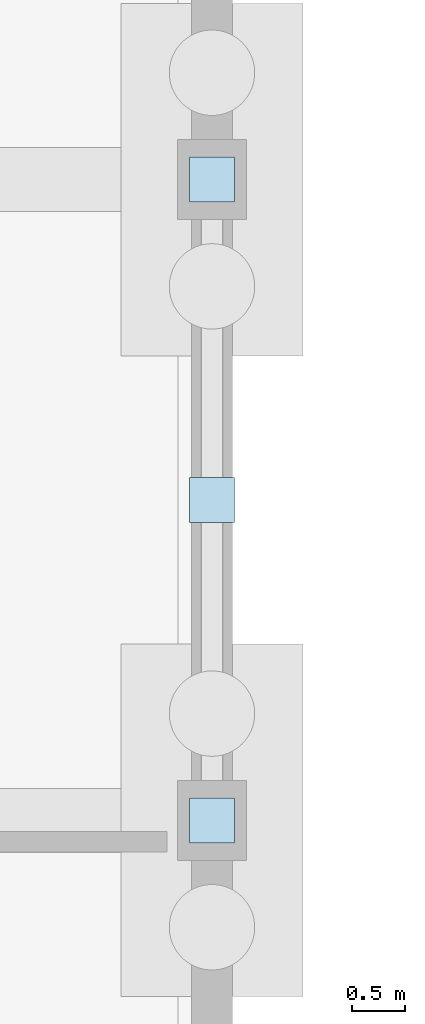
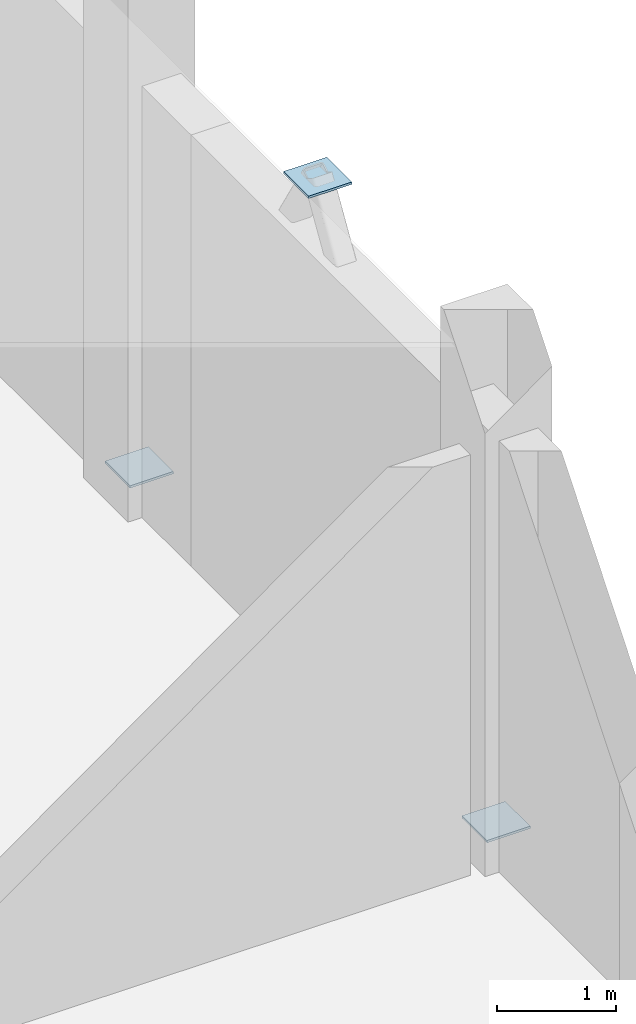
# One storey, part 42 of 69: 3 plates.
"""IFC4 building model written with IfcOpenShell, lengths in metres."""

from ifc_helpers import new_model, si_unit, direction, frame, origin, origin_2d, place, context, subcontext, project, spatial, rectangle, extrude, material, layer, layer_set, type_object, element, save


model = new_model("IFC4")

# Units and contexts
model_context = context("Model", 3, precision=1e-05, world=origin(), true_north=direction((0.0, 1.0)))
body_context = subcontext(model_context, "Body", "Model", "MODEL_VIEW")
ifc_project = project(units=[si_unit("LENGTHUNIT", "METRE"), si_unit("AREAUNIT", "SQUARE_METRE"), si_unit("VOLUMEUNIT", "CUBIC_METRE"), si_unit("PLANEANGLEUNIT", "RADIAN"), si_unit("MASSUNIT", "GRAM", prefix="KILO")], contexts=[model_context])

# Site, building, storey
site_placement = place(None, origin())
site = spatial("IfcSite", under=ifc_project, at=site_placement, CompositionType="ELEMENT")
building_placement = place(site_placement, origin())
building = spatial("IfcBuilding", under=site, at=building_placement, Name="Solvane Community Centre", CompositionType="ELEMENT")
storey_placement = place(building_placement, origin())
storey = spatial("IfcBuildingStorey", under=building, at=storey_placement, Name="L00", CompositionType="ELEMENT", Elevation=0.0)

# Plates
ifc_material = material(Name="Steel ASTM A572 Grade 50", Category="steel")
ifc_layer = layer(ifc_material, 0.02392578125)
ifc_layer_set = layer_set([ifc_layer], Name="Steel ASTM A572 Grade 50")
plate_type = type_object("IfcPlateType", Name="Bracing Node Gusset Plate 420x420x24", PredefinedType="USERDEFINED", material=ifc_layer_set)
for number, where, z_axis, x_axis, name in (
    (1, (168.0, 33.0, 4.998046875), (0.0, 0.0, 1.0), (1.0, 0.0, 0.0), "Gusset Plate PLT-L00-0112"),
    (2, (168.0, 30.0, 0.2080078125), (0.0, 0.0, 1.0), (1.0, 0.0, 0.0), "Gusset Plate PLT-L00-0113"),
    (3, (168.0, 36.0, 0.2080078125), (0.0, 0.0, 1.0), (1.0, 0.0, 0.0), "Gusset Plate PLT-L00-0114"),
):
    element("IfcPlate", number, at=place(storey_placement, frame(where, z_axis=z_axis, x_axis=x_axis)), inside=storey, type_object=plate_type, Name=name, ObjectType="GUSSET_PLATE", PredefinedType="USERDEFINED", context=body_context, shape_type="SweptSolid", body=[
        extrude(rectangle(XDim=0.419921875, YDim=0.419921875, at=origin_2d()), origin(), (0.0, 0.0, 1.0), 0.02392578125),
    ])

save(model, "model.ifc")
